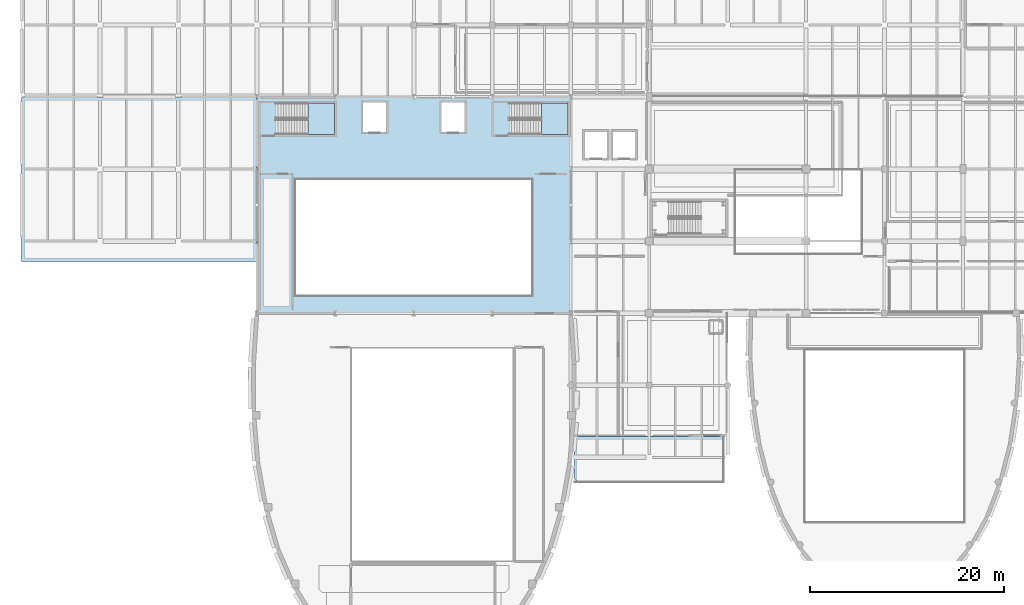
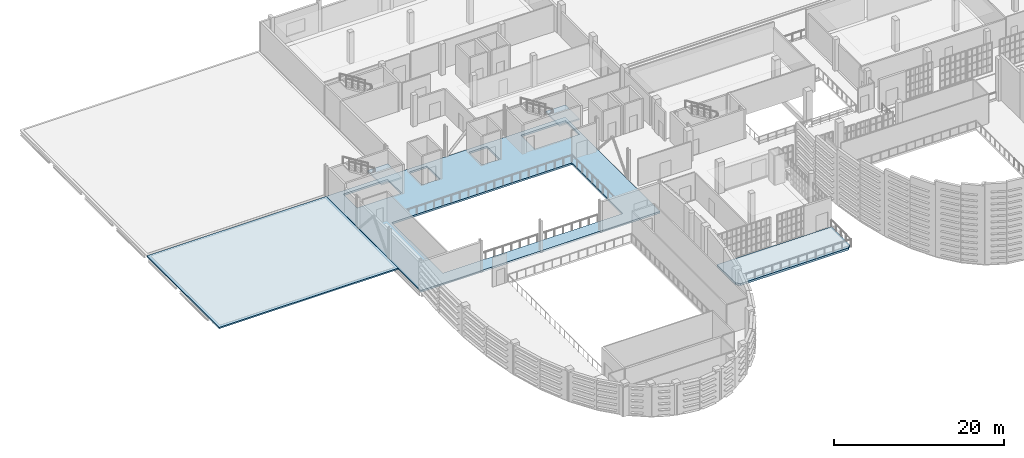
# One storey, part 47 of 73: 5 slabs, 2 elements without a shape of their own.
"""IFC4 building model written with IfcOpenShell, lengths in metres."""

from ifc_helpers import new_model, si_unit, direction, frame, origin, place, context, subcontext, project, spatial, polyline, outline, extrude, material, layer, layer_set, type_object, element, aggregate, save


model = new_model("IFC4")

# Units and contexts
model_context = context("Model", 3, precision=1e-05, world=origin(), true_north=direction((0.0, 1.0)))
body_context = subcontext(model_context, "Body", "Model", "MODEL_VIEW")
ifc_project = project(units=[si_unit("LENGTHUNIT", "METRE"), si_unit("AREAUNIT", "SQUARE_METRE"), si_unit("VOLUMEUNIT", "CUBIC_METRE"), si_unit("PLANEANGLEUNIT", "RADIAN"), si_unit("MASSUNIT", "GRAM", prefix="KILO")], contexts=[model_context])

# Site, building, storey
site_placement = place(None, origin())
site = spatial("IfcSite", under=ifc_project, at=site_placement, CompositionType="ELEMENT")
building_placement = place(site_placement, origin())
building = spatial("IfcBuilding", under=site, at=building_placement, Name="Kaelora Sail Theatre", CompositionType="ELEMENT")
storey_placement = place(building_placement, frame((0.0, 0.0, 10.199951171875)))
storey = spatial("IfcBuildingStorey", under=building, at=storey_placement, Name="L02", CompositionType="ELEMENT", Elevation=10.199951171875)

# Stair, slab
ifc_material_1 = material(Name="Concrete C40/50", Category="concrete")
stair_type = type_object("IfcStairType", Name="ARC-ST-ESC150", PredefinedType="HALF_TURN_STAIR", material=ifc_material_1)
stair_1_placement = place(storey_placement, origin())
stair_1 = element("IfcStair", 1, at=stair_1_placement, inside=storey, type_object=stair_type, Name="L02 ST-K1", PredefinedType="HALF_TURN_STAIR")
ifc_material_2 = material(Name="Concrete C40/50", Category="concrete")
ifc_layer_1 = layer(ifc_material_2, 0.219970703125)
ifc_layer_set_1 = layer_set([ifc_layer_1], Name="Concrete C40/50")
slab_type_1 = type_object("IfcSlabType", Name="ARC-SLB-LND220", PredefinedType="LANDING", material=ifc_layer_set_1)
slab_1_placement = place(storey_placement, frame((0.0, 0.0, 2.050048828125)))
slab_1 = element("IfcSlab", 2, at=slab_1_placement, type_object=slab_type_1, Name="ST-K1 landing 1", PredefinedType="LANDING", context=body_context, shape_type="SweptSolid", body=[
    extrude(outline(polyline([(31.070068359375, 79.449951171875), (33.800048828125, 79.449951171875), (33.800048828125, 82.699951171875), (31.070068359375, 82.699951171875), (31.070068359375, 79.449951171875)])), origin(), (0.0, 0.0, 1.0), 0.199951171875),
])
aggregate(stair_1, [slab_1])

stair_2_placement = place(storey_placement, origin())
stair_2 = element("IfcStair", 3, at=stair_2_placement, inside=storey, type_object=stair_type, Name="L02 ST-K5", PredefinedType="HALF_TURN_STAIR")
slab_2_placement = place(storey_placement, frame((0.0, 0.0, 2.050048828125)))
slab_2 = element("IfcSlab", 4, at=slab_2_placement, type_object=slab_type_1, Name="ST-K5 landing 1", PredefinedType="LANDING", context=body_context, shape_type="SweptSolid", body=[
    extrude(outline(polyline([(55.169921875, 79.449951171875), (57.89990234375, 79.449951171875), (57.89990234375, 82.699951171875), (55.169921875, 82.699951171875), (55.169921875, 79.449951171875)])), origin(), (0.0, 0.0, 1.0), 0.199951171875),
])
aggregate(stair_2, [slab_2])

# Slabs
ifc_material_3 = material(Name="Concrete C40/50", Category="concrete")
ifc_layer_2 = layer(ifc_material_3, 0.260009765625)
ifc_layer_set_2 = layer_set([ifc_layer_2], Name="Concrete C40/50")
slab_type_2 = type_object("IfcSlabType", Name="STR-SLB-SL-FL260", PredefinedType="FLOOR", material=ifc_layer_set_2)
slab_3_placement = place(storey_placement, frame((0.0, 0.0, -0.260009765625)))
element("IfcSlab", 5, at=slab_3_placement, inside=storey, type_object=slab_type_2, Name="Fly Tower stage/gallery slab (L02)", PredefinedType="FLOOR", context=body_context, shape_type="SweptSolid", body=[
    extrude(outline(polyline([(25.800048828125, 61.034912109375), (58.199951171875, 61.034912109375), (58.199951171875, 83.324951171875), (25.800048828125, 83.324951171875), (25.800048828125, 61.034912109375)]), holes=[polyline([(27.7548828125, 79.449951171875), (33.800048828125, 79.449951171875), (33.800048828125, 82.699951171875), (27.7548828125, 82.699951171875), (27.7548828125, 79.449951171875)]), polyline([(51.85498046875, 79.449951171875), (57.89990234375, 79.449951171875), (57.89990234375, 82.699951171875), (51.85498046875, 82.699951171875), (51.85498046875, 79.449951171875)]), polyline([(36.75, 79.75), (39.14990234375, 79.75), (39.14990234375, 82.75), (36.75, 82.75), (36.75, 79.75)]), polyline([(44.85009765625, 79.75), (47.25, 79.75), (47.25, 82.75), (44.85009765625, 82.75), (44.85009765625, 79.75)]), polyline([(29.800048828125, 62.85009765625), (54.199951171875, 62.85009765625), (54.199951171875, 74.800048828125), (29.800048828125, 74.800048828125), (29.800048828125, 62.85009765625)])]), origin(), (0.0, 0.0, 1.0), 0.260009765625),
])
ifc_material_4 = material(Name="Concrete C40/50", Category="concrete")
ifc_layer_3 = layer(ifc_material_4, 0.195068359375)
ifc_layer_set_3 = layer_set([ifc_layer_3], Name="Concrete C40/50")
slab_type_3 = type_object("IfcSlabType", Name="STR-SLB-SL-RF195", PredefinedType="ROOF", material=ifc_layer_set_3)
slab_4_placement = place(storey_placement, frame((0.0, 0.0, -0.195068359375)))
element("IfcSlab", 6, at=slab_4_placement, inside=storey, type_object=slab_type_3, Name="Flat wing roof slab RF-FW1-TOP", PredefinedType="ROOF", context=body_context, shape_type="SweptSolid", body=[
    extrude(outline(polyline([(1.5, 83.31005859375), (25.780029296875, 83.31005859375), (25.780029296875, 66.35009765625), (1.5, 66.35009765625), (1.5, 83.31005859375)])), origin(), (0.0, 0.0, 1.0), 0.195068359375),
])
ifc_material_5 = material(Name="Concrete C40/50", Category="concrete")
ifc_layer_4 = layer(ifc_material_5, 0.294921875)
ifc_layer_set_4 = layer_set([ifc_layer_4], Name="Concrete C40/50")
slab_type_4 = type_object("IfcSlabType", Name="STR-SLB-SL-TR295", PredefinedType="FLOOR", material=ifc_layer_set_4)
slab_5_placement = place(storey_placement, frame((0.0, 0.0, -0.294921875)))
element("IfcSlab", 7, at=slab_5_placement, inside=storey, type_object=slab_type_4, Name="Second Step Central Foyer Planted Podium Terrace", PredefinedType="FLOOR", context=body_context, shape_type="SweptSolid", body=[
    extrude(outline(polyline([(59.0, 43.5), (73.60009765625, 43.5), (74.050048828125, 43.949951171875), (74.050048828125, 48.280029296875), (58.550048828125, 48.280029296875), (58.550048828125, 43.949951171875), (59.0, 43.5)])), origin(), (0.0, 0.0, 1.0), 0.294921875),
])

save(model, "model.ifc")
